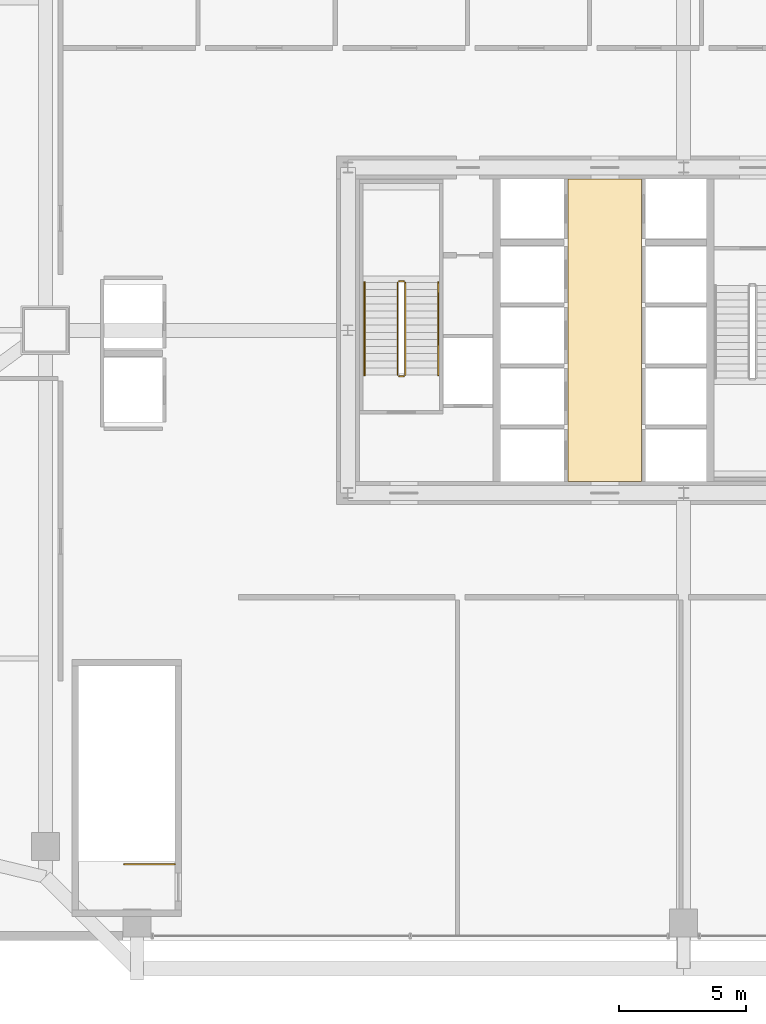
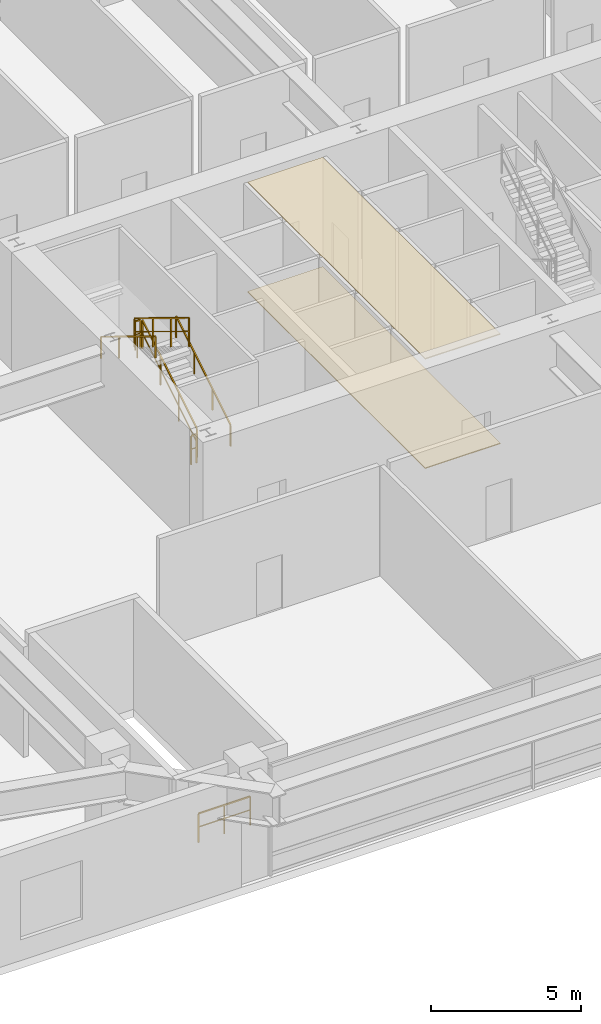
# One storey, part 33 of 34: 7 railings, 2 coverings.
"""IFC4 building model written with IfcOpenShell, lengths in metres."""

from ifc_helpers import new_model, si_unit, direction, frame, origin, origin_2d, place, context, subcontext, project, spatial, polyline, rectangle, outline, extrude, source, transform, mapped, material, layer, layer_set, type_object, element, save


model = new_model("IFC4")

# Units and contexts
model_context = context("Model", 3, precision=1e-05, world=origin(), true_north=direction((0.0, 1.0)))
body_context = subcontext(model_context, "Body", "Model", "MODEL_VIEW")
ifc_project = project(units=[si_unit("LENGTHUNIT", "METRE"), si_unit("AREAUNIT", "SQUARE_METRE"), si_unit("VOLUMEUNIT", "CUBIC_METRE"), si_unit("PLANEANGLEUNIT", "RADIAN"), si_unit("MASSUNIT", "GRAM", prefix="KILO"), si_unit("THERMODYNAMICTEMPERATUREUNIT", "KELVIN"), si_unit("POWERUNIT", "WATT")], contexts=[model_context])

# Site, building, storey
site_placement = place(None, origin())
site = spatial("IfcSite", under=ifc_project, at=site_placement, CompositionType="ELEMENT")
building_placement = place(site_placement, origin())
building = spatial("IfcBuilding", under=site, at=building_placement, Name="Yuzanri Waterfront Tower", CompositionType="ELEMENT")
storey_placement = place(building_placement, frame((0.0, 0.0, 25.800048828125)))
storey = spatial("IfcBuildingStorey", under=building, at=storey_placement, Name="L06", CompositionType="ELEMENT", Elevation=25.800048828125)

# Coverings
ifc_material_1 = material(Name="Anodized Architectural Bronze", Category="metal")
ifc_layer_1 = layer(ifc_material_1, 0.0400390625)
ifc_layer_set_1 = layer_set([ifc_layer_1], Name="Anodized Architectural Bronze")
covering_type_1 = type_object("IfcCoveringType", Name="Anodized Bronze Linear Baffle Lobby Ceiling 40", PredefinedType="CEILING", material=ifc_layer_set_1)
covering_1_placement = place(storey_placement, frame((0.0, 0.0, 4.4599609375)))
element("IfcCovering", 1, at=covering_1_placement, inside=storey, type_object=covering_type_1, Name="L06 Lift Lobby Bronze Baffle Ceiling", PredefinedType="CEILING", context=body_context, shape_type="SweptSolid", body=[
    extrude(outline(polyline([(32.449951171875, 19.860107421875), (35.35009765625, 19.860107421875), (35.35009765625, 31.739990234375), (32.449951171875, 31.739990234375), (32.449951171875, 19.860107421875)])), origin(), (0.0, 0.0, 1.0), 0.0400390625),
])
ifc_material_2 = material(Name="Honed Cream Limestone", Category="masonry")
ifc_layer_2 = layer(ifc_material_2, 0.034912109375)
ifc_layer_set_2 = layer_set([ifc_layer_2], Name="Honed Cream Limestone")
covering_type_2 = type_object("IfcCoveringType", Name="Honed Limestone Lobby Floor Finish 35", PredefinedType="FLOORING", material=ifc_layer_set_2)
covering_2_placement = place(storey_placement, origin())
element("IfcCovering", 2, at=covering_2_placement, inside=storey, type_object=covering_type_2, Name="L06 Lift Lobby Limestone Floor Finish", PredefinedType="FLOORING", context=body_context, shape_type="SweptSolid", body=[
    extrude(outline(polyline([(32.449951171875, 19.860107421875), (35.35009765625, 19.860107421875), (35.35009765625, 31.739990234375), (32.449951171875, 31.739990234375), (32.449951171875, 19.860107421875)])), origin(), (0.0, 0.0, 1.0), 0.034912109375),
])

# Railings
ifc_material_3 = material(Name="Painted Galvanized Fire Steel", Category="steel")
ifc_layer_3 = layer(ifc_material_3, 0.06005859375)
ifc_layer_set_3 = layer_set([ifc_layer_3], Name="Painted Galvanized Fire Steel")
railing_type_1 = type_object("IfcRailingType", Name="Painted Steel Stairwell Guardrail 1120", PredefinedType="GUARDRAIL", material=ifc_layer_set_3)
shared_shape_1 = source(origin(), body_context, "Body", "SweptSolid", [
    extrude(rectangle(XDim=0.050048828125, YDim=0.050048828125, at=origin_2d()), frame((0.0, 0.0, 1.1748046875), z_axis=(-1.0, 0.0, 0.0), x_axis=(0.0, -1.0, 0.0)), (0.0, 0.0, 1.0), 0.199951171875),
    extrude(rectangle(XDim=0.035888671875, YDim=0.030029296875, at=origin_2d()), frame((0.0, 0.0, 0.6240234375), z_axis=(-1.0, 0.0, 0.0), x_axis=(0.0, -1.0, 0.0)), (0.0, 0.0, 1.0), 0.199951171875),
    extrude(rectangle(XDim=0.0458984375, YDim=0.0458984375, at=origin_2d()), origin(), (0.0, 0.0, 1.0), 1.14990234375),
    extrude(rectangle(XDim=0.0458984375, YDim=0.0458984375, at=origin_2d()), frame((-0.199951171875, 0.0, 0.0)), (0.0, 0.0, 1.0), 1.14990234375),
])
for number, where, name in (
    (3, (26.0, 27.72998046875, 2.39990234375), "L06 ST-01 stair guard 2"),
    (4, (26.0, 23.989990234375, 0.0), "L06 ST-01 stair guard 4"),
):
    element("IfcRailing", number, at=place(storey_placement, frame(where)), inside=storey, type_object=railing_type_1, Name=name, PredefinedType="GUARDRAIL", context=body_context, shape_type="MappedRepresentation", body=[
        mapped(shared_shape_1, transform((0.0, 0.0, 0.0), scale=1.0)),
    ])
shared_shape_2 = source(origin(), body_context, "Body", "SweptSolid", [
    extrude(rectangle(XDim=0.050048828125, YDim=0.050048828125, at=origin_2d()), frame((0.0, 0.0, 1.1748046875), z_axis=(0.0, 0.852850264322, 0.5221555579), x_axis=(-1.0, 0.0, 0.0)), (0.0, 0.0, 1.0), 4.267822265625),
    extrude(rectangle(XDim=0.035888671875, YDim=0.030029296875, at=origin_2d()), frame((0.0, 0.0, 0.6240234375), z_axis=(0.0, 0.852850264322, 0.5221555579), x_axis=(-1.0, 0.0, 0.0)), (0.0, 0.0, 1.0), 4.267822265625),
    extrude(rectangle(XDim=0.0458984375, YDim=0.0458984375, at=origin_2d()), origin(), (0.0, 0.0, 1.0), 1.14990234375),
    extrude(rectangle(XDim=0.0458984375, YDim=0.0458984375, at=origin_2d()), frame((0.0, 1.21337890625, 0.742919921875)), (0.0, 0.0, 1.0), 1.14990234375),
    extrude(rectangle(XDim=0.0458984375, YDim=0.0458984375, at=origin_2d()), frame((0.0, 2.426513671875, 1.485595703125)), (0.0, 0.0, 1.0), 1.14990234375),
    extrude(rectangle(XDim=0.0458984375, YDim=0.0458984375, at=origin_2d()), frame((0.0, 3.639892578125, 2.228515625)), (0.0, 0.0, 1.0), 1.14990234375),
])
railing_1_placement = place(storey_placement, frame((26.050048828125, 24.0400390625, 0.17138671875)))
element("IfcRailing", 5, at=railing_1_placement, inside=storey, type_object=railing_type_1, Name="L06 ST-01 stair guard 1", PredefinedType="GUARDRAIL", context=body_context, shape_type="MappedRepresentation", body=[
    mapped(shared_shape_2, transform((0.0, 0.0, 0.0), scale=1.0)),
])
ifc_material_4 = material(Name="Anodized Architectural Bronze", Category="metal")
ifc_layer_4 = layer(ifc_material_4, 0.050048828125)
ifc_layer_set_4 = layer_set([ifc_layer_4], Name="Anodized Architectural Bronze")
railing_type_2 = type_object("IfcRailingType", Name="Brushed Bronze Stair Pitch Handrail 920", PredefinedType="HANDRAIL", material=ifc_layer_set_4)
shared_shape_3 = source(origin(), body_context, "Body", "SweptSolid", [
    extrude(rectangle(XDim=0.050048828125, YDim=0.050048828125, at=origin_2d()), frame((0.0, 0.0, 0.875), z_axis=(0.0, 0.852850264322, 0.5221555579), x_axis=(-1.0, 0.0, 0.0)), (0.0, 0.0, 1.0), 4.267822265625),
    extrude(rectangle(XDim=0.0458984375, YDim=0.0458984375, at=origin_2d()), origin(), (0.0, 0.0, 1.0), 0.849853515625),
    extrude(rectangle(XDim=0.0458984375, YDim=0.0458984375, at=origin_2d()), frame((0.0, 1.21337890625, 0.742919921875)), (0.0, 0.0, 1.0), 0.849853515625),
    extrude(rectangle(XDim=0.0458984375, YDim=0.0458984375, at=origin_2d()), frame((0.0, 2.426513671875, 1.485595703125)), (0.0, 0.0, 1.0), 0.849853515625),
    extrude(rectangle(XDim=0.0458984375, YDim=0.0458984375, at=origin_2d()), frame((0.0, 3.639892578125, 2.228515625)), (0.0, 0.0, 1.0), 0.849853515625),
])
railing_2_placement = place(storey_placement, frame((27.35009765625, 24.0400390625, 0.17138671875)))
element("IfcRailing", 6, at=railing_2_placement, inside=storey, type_object=railing_type_2, Name="L06 ST-01 stair handrail 1", PredefinedType="HANDRAIL", context=body_context, shape_type="MappedRepresentation", body=[
    mapped(shared_shape_3, transform((0.0, 0.0, 0.0), scale=1.0)),
])
shared_shape_4 = source(origin(), body_context, "Body", "SweptSolid", [
    extrude(rectangle(XDim=0.050048828125, YDim=0.050048828125, at=origin_2d()), frame((0.0, 0.0, 1.1748046875), z_axis=(0.0, -0.852824790078, 0.522197163366), x_axis=(1.0, 0.0, 0.0)), (0.0, 0.0, 1.0), 4.26806640625),
    extrude(rectangle(XDim=0.035888671875, YDim=0.030029296875, at=origin_2d()), frame((0.0, 0.0, 0.6240234375), z_axis=(0.0, -0.852824790078, 0.522197163366), x_axis=(1.0, 0.0, 0.0)), (0.0, 0.0, 1.0), 4.26806640625),
    extrude(rectangle(XDim=0.0458984375, YDim=0.0458984375, at=origin_2d()), origin(), (0.0, 0.0, 1.0), 1.14990234375),
    extrude(rectangle(XDim=0.0458984375, YDim=0.0458984375, at=origin_2d()), frame((0.0, -1.21337890625, 0.742919921875)), (0.0, 0.0, 1.0), 1.14990234375),
    extrude(rectangle(XDim=0.0458984375, YDim=0.0458984375, at=origin_2d()), frame((0.0, -2.426513671875, 1.48583984375)), (0.0, 0.0, 1.0), 1.14990234375),
    extrude(rectangle(XDim=0.0458984375, YDim=0.0458984375, at=origin_2d()), frame((0.0, -3.639892578125, 2.228759765625)), (0.0, 0.0, 1.0), 1.14990234375),
])
railing_3_placement = place(storey_placement, frame((25.75, 27.679931640625, 2.5712890625)))
element("IfcRailing", 7, at=railing_3_placement, inside=storey, type_object=railing_type_1, Name="L06 ST-01 stair guard 3", PredefinedType="GUARDRAIL", context=body_context, shape_type="MappedRepresentation", body=[
    mapped(shared_shape_4, transform((0.0, 0.0, 0.0), scale=1.0)),
])
shared_shape_5 = source(origin(), body_context, "Body", "SweptSolid", [
    extrude(rectangle(XDim=0.050048828125, YDim=0.050048828125, at=origin_2d()), frame((0.0, 0.0, 0.875), z_axis=(0.0, -0.852824790078, 0.522197163366), x_axis=(1.0, 0.0, 0.0)), (0.0, 0.0, 1.0), 4.26806640625),
    extrude(rectangle(XDim=0.0458984375, YDim=0.0458984375, at=origin_2d()), origin(), (0.0, 0.0, 1.0), 0.849853515625),
    extrude(rectangle(XDim=0.0458984375, YDim=0.0458984375, at=origin_2d()), frame((0.0, -1.21337890625, 0.742919921875)), (0.0, 0.0, 1.0), 0.849853515625),
    extrude(rectangle(XDim=0.0458984375, YDim=0.0458984375, at=origin_2d()), frame((0.0, -2.426513671875, 1.48583984375)), (0.0, 0.0, 1.0), 0.849853515625),
    extrude(rectangle(XDim=0.0458984375, YDim=0.0458984375, at=origin_2d()), frame((0.0, -3.639892578125, 2.228759765625)), (0.0, 0.0, 1.0), 0.849853515625),
])
railing_4_placement = place(storey_placement, frame((24.449951171875, 27.679931640625, 2.5712890625)))
element("IfcRailing", 8, at=railing_4_placement, inside=storey, type_object=railing_type_2, Name="L06 ST-01 stair handrail 2", PredefinedType="HANDRAIL", context=body_context, shape_type="MappedRepresentation", body=[
    mapped(shared_shape_5, transform((0.0, 0.0, 0.0), scale=1.0)),
])
shared_shape_6 = source(origin(), body_context, "Body", "SweptSolid", [
    extrude(rectangle(XDim=0.050048828125, YDim=0.050048828125, at=origin_2d()), frame((0.0, 0.0, 1.1748046875), z_axis=(-1.0, 0.0, 0.0), x_axis=(0.0, -1.0, 0.0)), (0.0, 0.0, 1.0), 2.0),
    extrude(rectangle(XDim=0.035888671875, YDim=0.030029296875, at=origin_2d()), frame((0.0, 0.0, 0.6240234375), z_axis=(-1.0, 0.0, 0.0), x_axis=(0.0, -1.0, 0.0)), (0.0, 0.0, 1.0), 2.0),
    extrude(rectangle(XDim=0.0458984375, YDim=0.0458984375, at=origin_2d()), origin(), (0.0, 0.0, 1.0), 1.14990234375),
    extrude(rectangle(XDim=0.0458984375, YDim=0.0458984375, at=origin_2d()), frame((-1.0, 0.0, 0.0)), (0.0, 0.0, 1.0), 1.14990234375),
    extrude(rectangle(XDim=0.0458984375, YDim=0.0458984375, at=origin_2d()), frame((-2.0, 0.0, 0.0)), (0.0, 0.0, 1.0), 1.14990234375),
])
railing_5_placement = place(storey_placement, frame((17.0, 4.800048828125, 0.0)))
element("IfcRailing", 9, at=railing_5_placement, inside=storey, type_object=railing_type_1, Name="L06 PST-01 top well guard 1", PredefinedType="GUARDRAIL", context=body_context, shape_type="MappedRepresentation", body=[
    mapped(shared_shape_6, transform((0.0, 0.0, 0.0), scale=1.0)),
])

save(model, "model.ifc")
